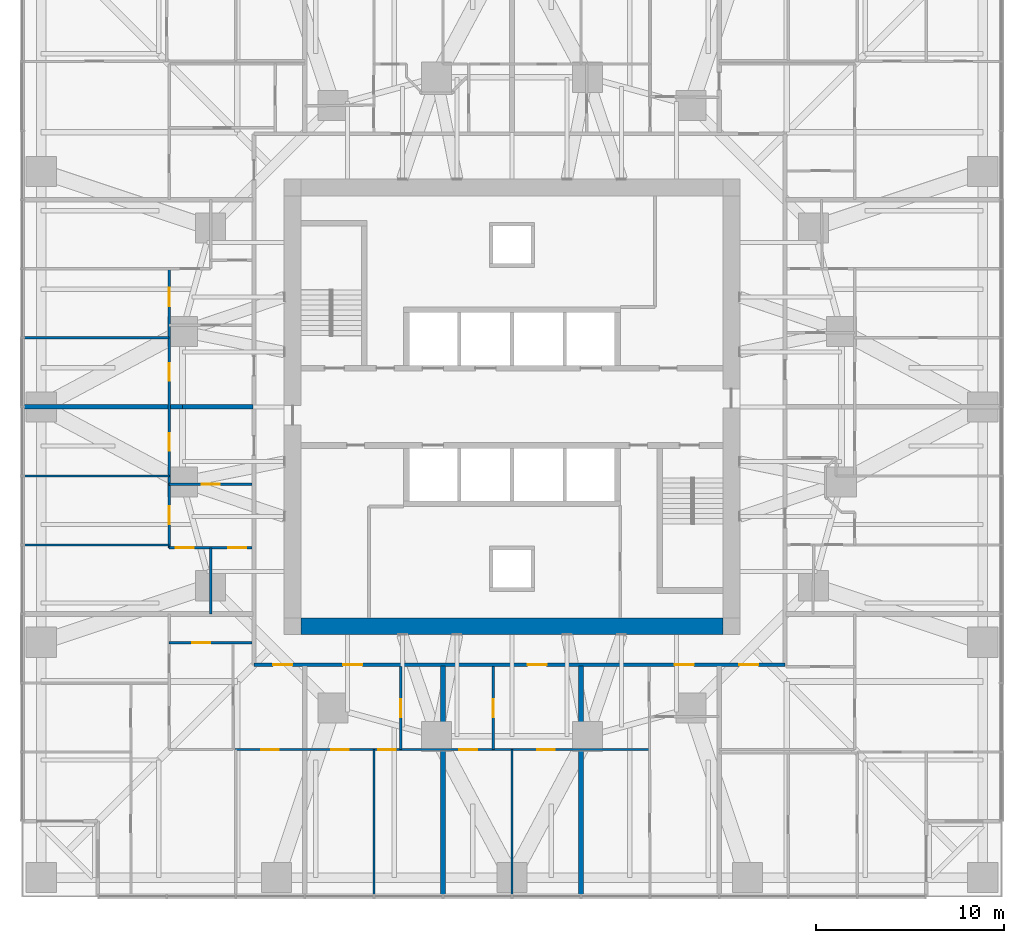
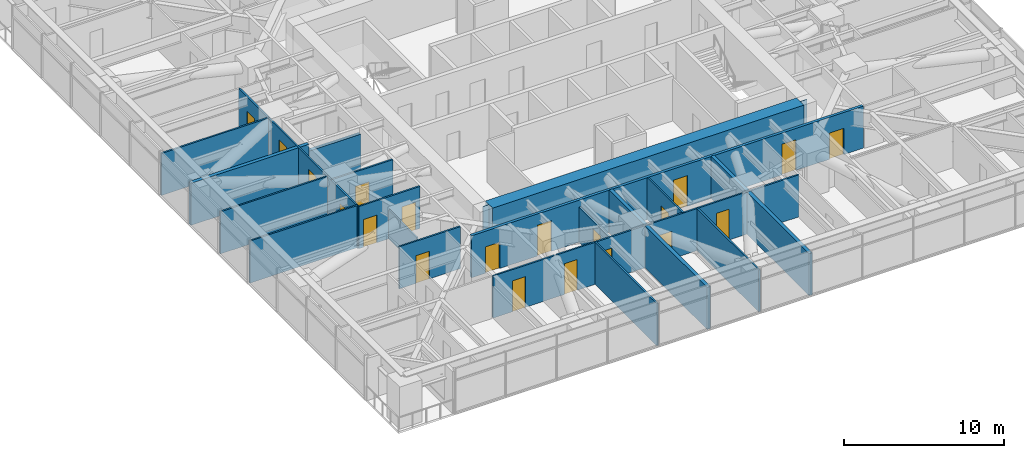
# One storey, part 10 of 17: 20 doors, 19 walls, 20 openings.
"""IFC4 building model written with IfcOpenShell, lengths in metres."""

import ifcopenshell
import ifcopenshell.guid

model = None  # the IFC model being written
_history = None  # IfcOwnerHistory: only IFC2X3 demands one
_inside = {}  # id of a spatial element -> (the spatial element, [elements in it])
_under = {}  # id of a project, library or spatial element -> (it, [spatial elements below it])
_declared = {}  # id of a project -> (the project, [libraries it declares])
_typed = {}  # id of a type object -> (the type object, [elements of that type])
_made_of = {}  # id of a material, layer set ... -> (it, [elements and type objects made of it])


def new_model(schema):
    """Start an empty IFC model of exactly this schema.

    Asked for "IFC4X3", IfcOpenShell would pick the latest addendum, in which some entities
    have other attributes; the version numbers below select the first issue.
    IFC2X3 requires an IfcOwnerHistory on every rooted entity: one is made here for all.
    """
    global model, _history
    if schema == "IFC4X3":
        model = ifcopenshell.file(schema_version=(4, 3, 0, 0))
    else:
        model = ifcopenshell.file(schema=schema)
    _inside.clear()
    _under.clear()
    _declared.clear()
    _typed.clear()
    _made_of.clear()
    _history = None
    if model.schema == "IFC2X3":
        org = make("IfcOrganization", Name="unknown")
        user = make(
            "IfcPersonAndOrganization",
            ThePerson=make("IfcPerson", FamilyName="unknown"),
            TheOrganization=org,
        )
        app = make(
            "IfcApplication",
            ApplicationDeveloper=org,
            Version="unknown",
            ApplicationFullName="unknown",
            ApplicationIdentifier="unknown",
        )
        _history = make(
            "IfcOwnerHistory",
            OwningUser=user,
            OwningApplication=app,
            ChangeAction="ADDED",
            CreationDate=0,
        )
    return model


def make(cls, **values):
    """One entity of the class cls with the attributes given. An attribute that is None is left unset."""
    return model.create_entity(
        cls, **{name: value for name, value in values.items() if value is not None}
    )


def rooted(cls, **values):
    """An entity with a GlobalId (a new one), such as an element, a storey or a relation."""
    return make(cls, GlobalId=ifcopenshell.guid.new(), OwnerHistory=_history, **values)


def si_unit(unit_type, name, prefix=None):
    """IfcSIUnit, for example si_unit("LENGTHUNIT", "METRE", prefix="MILLI")."""
    return make("IfcSIUnit", UnitType=unit_type, Prefix=prefix, Name=name)


def assignment(units):
    """IfcUnitAssignment: the units of a project."""
    return None if units is None else make("IfcUnitAssignment", Units=units)


def point(xyz):
    """IfcCartesianPoint."""
    return None if xyz is None else make("IfcCartesianPoint", Coordinates=xyz)


def direction(xyz):
    """IfcDirection."""
    return None if xyz is None else make("IfcDirection", DirectionRatios=xyz)


def frame(location, z_axis=None, x_axis=None):
    """IfcAxis2Placement3D, a coordinate frame: its origin and axes. An axis left out is left unset."""
    return make(
        "IfcAxis2Placement3D",
        Location=point(location),
        Axis=direction(z_axis),
        RefDirection=direction(x_axis),
    )


def frame_2d(location, x_axis=None):
    """IfcAxis2Placement2D, a coordinate frame in the plane: its origin and x axis."""
    return make(
        "IfcAxis2Placement2D", Location=point(location), RefDirection=direction(x_axis)
    )


def origin():
    """The frame at (0, 0, 0) with its axes left unset."""
    return frame((0.0, 0.0, 0.0))


def place(relative_to, where):
    """IfcLocalPlacement: puts the frame where relative to a parent placement (None: the world)."""
    return make(
        "IfcLocalPlacement", PlacementRelTo=relative_to, RelativePlacement=where
    )


def context(
    kind, dimensions, precision=None, world=None, true_north=None, identifier=None
):
    """IfcGeometricRepresentationContext, for example the 3D "Model" context."""
    return make(
        "IfcGeometricRepresentationContext",
        ContextIdentifier=identifier,
        ContextType=kind,
        CoordinateSpaceDimension=dimensions,
        Precision=precision,
        WorldCoordinateSystem=world,
        TrueNorth=true_north,
    )


def subcontext(parent, identifier, kind, view, scale=None):
    """IfcGeometricRepresentationSubContext, for example "Body" below "Model"."""
    return make(
        "IfcGeometricRepresentationSubContext",
        ContextIdentifier=identifier,
        ContextType=kind,
        ParentContext=parent,
        TargetScale=scale,
        TargetView=view,
    )


def project(units=None, contexts=None):
    """IfcProject with its units and contexts."""
    return rooted(
        "IfcProject",
        Name="project",
        RepresentationContexts=contexts,
        UnitsInContext=assignment(units),
    )


def spatial(cls, under=None, at=None, **own):
    """A site, building, storey or space (cls), placed at a placement, below another one or the project."""
    s = rooted(cls, ObjectPlacement=at, **own)
    if under is not None:
        _under.setdefault(under.id(), (under, []))[1].append(s)
    return s


def polyline(points):
    """IfcPolyline through the points."""
    return make("IfcPolyline", Points=[point(p) for p in points])


def profile(cls, at=None, kind="AREA", **sizes):
    """A parametric profile (cls). Its sizes go by their IFC names, for example OverallWidth=200.0."""
    return make(cls, ProfileType=kind, Position=at, **sizes)


def rectangle(**sizes):
    """IfcRectangleProfileDef."""
    return profile("IfcRectangleProfileDef", **sizes)


def outline(outer, holes=None, kind="AREA"):
    """IfcArbitraryClosedProfileDef: a profile drawn as a closed curve; with holes, ...WithVoids."""
    if holes is None:
        return make("IfcArbitraryClosedProfileDef", ProfileType=kind, OuterCurve=outer)
    return make(
        "IfcArbitraryProfileDefWithVoids",
        ProfileType=kind,
        OuterCurve=outer,
        InnerCurves=holes,
    )


def extrude(swept, where, along, depth):
    """IfcExtrudedAreaSolid: the profile swept, set in the frame where, extruded along a direction by depth."""
    return make(
        "IfcExtrudedAreaSolid",
        SweptArea=swept,
        Position=where,
        ExtrudedDirection=direction(along),
        Depth=depth,
    )


def shape(context_of_items, identifier, shape_type, items):
    """IfcShapeRepresentation: the items that make up one representation, for example the "Body"."""
    return make(
        "IfcShapeRepresentation",
        ContextOfItems=context_of_items,
        RepresentationIdentifier=identifier,
        RepresentationType=shape_type,
        Items=items,
    )


def material(Name=None, Category=None):
    """IfcMaterial."""
    return make("IfcMaterial", Name=Name, Category=Category)


def layer(
    of_material, thickness, ventilated=None, Name=None, Category=None, Priority=None
):
    """IfcMaterialLayer: one layer of a wall or slab, of a material (None: an air gap)."""
    return make(
        "IfcMaterialLayer",
        Material=of_material,
        LayerThickness=thickness,
        IsVentilated=ventilated,
        Name=Name,
        Category=Category,
        Priority=Priority,
    )


def layer_set(layers, Name=None):
    """IfcMaterialLayerSet."""
    return make("IfcMaterialLayerSet", MaterialLayers=layers, LayerSetName=Name)


def made_of(thing, what):
    """Note that an element or type object is made of a material, layer set ...; save() writes the relation."""
    if what is not None:
        _made_of.setdefault(what.id(), (what, []))[1].append(thing)
    return thing


def type_object(cls, material=None, **own):
    """A type object (cls), such as IfcWallType, which elements share."""
    return made_of(rooted(cls, **own), material)


def element(
    cls,
    number,
    at=None,
    inside=None,
    cuts=None,
    type_object=None,
    material=None,
    context=None,
    identifier="Body",
    shape_type=None,
    held_by="IfcProductDefinitionShape",
    body=None,
    shapes=None,
    **own,
):
    """One element of the class cls, such as IfcWall. Its Tag is "e" and its number.

    at: its placement. inside: the storey or other place that contains it. cuts: it is an
    opening in that element (IfcRelVoidsElement). A single representation is given by context,
    identifier, shape_type and body (its items); several are given by shapes. held_by: the class
    of the entity that holds the representations. save() writes the other relations.
    """
    e = rooted(cls, Tag="e%d" % number, ObjectPlacement=at, **own)
    if body is not None:
        shapes = [shape(context, identifier, shape_type, body)]
    if shapes is not None:
        e.Representation = make(held_by, Representations=shapes)
    if inside is not None:
        _inside.setdefault(inside.id(), (inside, []))[1].append(e)
    if cuts is not None:
        rooted(
            "IfcRelVoidsElement", RelatingBuildingElement=cuts, RelatedOpeningElement=e
        )
    if type_object is not None:
        _typed.setdefault(type_object.id(), (type_object, []))[1].append(e)
    return made_of(e, material)


def fill(opening, filler):
    """IfcRelFillsElement: the door or window that sits in an opening."""
    return rooted(
        "IfcRelFillsElement",
        RelatingOpeningElement=opening,
        RelatedBuildingElement=filler,
    )


def aggregate(whole, parts):
    """IfcRelAggregates: a whole, such as a stair, and the parts it consists of."""
    return rooted("IfcRelAggregates", RelatingObject=whole, RelatedObjects=parts)


def save(model, path):
    """Write the relations noted so far, then the file.

    IfcRelAggregates (storeys below a building ...), IfcRelContainedInSpatialStructure (elements
    in a storey), IfcRelDefinesByType, IfcRelAssociatesMaterial and IfcRelDeclares: one each for
    every whole, place, type object, material and project.
    """
    for whole, parts in _under.values():
        aggregate(whole, parts)
    for where, things in _inside.values():
        rooted(
            "IfcRelContainedInSpatialStructure",
            RelatedElements=things,
            RelatingStructure=where,
        )
    for kind, things in _typed.values():
        rooted("IfcRelDefinesByType", RelatedObjects=things, RelatingType=kind)
    for what, things in _made_of.values():
        rooted("IfcRelAssociatesMaterial", RelatedObjects=things, RelatingMaterial=what)
    for by, libraries in _declared.values():
        rooted("IfcRelDeclares", RelatingContext=by, RelatedDefinitions=libraries)
    model.write(path)


model = new_model("IFC4")

# Units and contexts
model_context = context("Model", 3, precision=1e-05, world=origin(), true_north=direction((0.0, 1.0)))
body_context = subcontext(model_context, "Body", "Model", "MODEL_VIEW")
ifc_project = project(units=[si_unit("LENGTHUNIT", "METRE"), si_unit("AREAUNIT", "SQUARE_METRE"), si_unit("VOLUMEUNIT", "CUBIC_METRE"), si_unit("PLANEANGLEUNIT", "RADIAN"), si_unit("MASSUNIT", "GRAM", prefix="KILO")], contexts=[model_context])

# Site, building, storey
site_placement = place(None, origin())
site = spatial("IfcSite", under=ifc_project, at=site_placement, CompositionType="ELEMENT")
building_placement = place(site_placement, origin())
building = spatial("IfcBuilding", under=site, at=building_placement, Name="Torsade Residences", CompositionType="ELEMENT")
storey_placement = place(building_placement, frame((0.0, 0.0, 38.800048828125)))
storey = spatial("IfcBuildingStorey", under=building, at=storey_placement, Name="L10", CompositionType="ELEMENT", Elevation=38.800048828125)

# Wall
ifc_material_1 = material(Name="Concrete 80 MPa", Category="concrete")
ifc_layer_1 = layer(ifc_material_1, 0.89990234375)
ifc_layer_set_1 = layer_set([ifc_layer_1], Name="Concrete 80 MPa")
wall_type_1 = type_object("IfcWallType", Name="CORE WALL 900", PredefinedType="SHEAR", material=ifc_layer_set_1)
wall_1_placement = place(storey_placement, frame((51.199951171875, 18.35009765625, 0.0), z_axis=(0.0, 0.0, 1.0), x_axis=(-1.0, 0.0, 0.0)))
element("IfcWall", 1, at=wall_1_placement, inside=storey, type_object=wall_type_1, Name="Core wall S L10", PredefinedType="SHEAR", context=body_context, shape_type="SweptSolid", body=[
    extrude(outline(polyline([(0.0, -0.449951171875), (22.39990234375, -0.449951171875), (22.39990234375, -0.02490234375), (22.849853515625, -0.02490234375), (22.849853515625, 0.02490234375), (22.39990234375, 0.02490234375), (22.39990234375, 0.449951171875), (0.0, 0.449951171875), (0.0, 0.02490234375), (-0.449951171875, 0.02490234375), (-0.449951171875, -0.02490234375), (0.0, -0.02490234375), (0.0, -0.449951171875)])), origin(), (0.0, 0.0, 1.0), 3.39990234375),
])

# Wall, openings, doors
ifc_material_2 = material(Name="Plasterboard on steel stud", Category="steel")
ifc_layer_2 = layer(ifc_material_2, 0.199951171875)
ifc_layer_set_2 = layer_set([ifc_layer_2], Name="Plasterboard on steel stud")
wall_type_2 = type_object("IfcWallType", Name="CORRIDOR WALL 200", PredefinedType="PARTITIONING", material=ifc_layer_set_2)
wall_2_placement = place(storey_placement, frame((26.300048828125, 16.300048828125, 0.0), z_axis=(0.0, 0.0, 1.0), x_axis=(1.0, 0.0, 0.0)))
wall_2 = element("IfcWall", 2, at=wall_2_placement, inside=storey, type_object=wall_type_2, Name="Corridor wall L10", PredefinedType="PARTITIONING", context=body_context, shape_type="SweptSolid", body=[
    extrude(rectangle(XDim=28.199951171875, YDim=0.199951171875, at=frame_2d((14.10009765625, 0.0))), origin(), (0.0, 0.0, 1.0), 3.199951171875),
])
opening_1_placement = place(wall_2_placement, frame((4.73779296875, 0.0, 0.0)))
opening_1 = element("IfcOpeningElement", 3, at=opening_1_placement, cuts=wall_2, Name="Opening D01", PredefinedType="OPENING", context=body_context, shape_type="SweptSolid", body=[
    extrude(rectangle(XDim=1.02001953125, YDim=2.340087890625, at=frame_2d((0.510009765625, 1.169921875))), frame((0.0, 0.10986328125, 0.0), z_axis=(0.0, -1.0, 0.0), x_axis=(1.0, 0.0, 0.0)), (0.0, 0.0, 1.0), 0.219970703125),
])
opening_2_placement = place(wall_2_placement, frame((14.524658203125, 0.0, 0.0)))
opening_2 = element("IfcOpeningElement", 4, at=opening_2_placement, cuts=wall_2, Name="Opening D01", PredefinedType="OPENING", context=body_context, shape_type="SweptSolid", body=[
    extrude(rectangle(XDim=1.02001953125, YDim=2.340087890625, at=frame_2d((0.510009765625, 1.169921875))), frame((0.0, 0.10986328125, 0.0), z_axis=(0.0, -1.0, 0.0), x_axis=(1.0, 0.0, 0.0)), (0.0, 0.0, 1.0), 0.219970703125),
])
opening_3_placement = place(wall_2_placement, frame((22.333251953125, 0.0, 0.0)))
opening_3 = element("IfcOpeningElement", 5, at=opening_3_placement, cuts=wall_2, Name="Opening D01", PredefinedType="OPENING", context=body_context, shape_type="SweptSolid", body=[
    extrude(rectangle(XDim=1.02001953125, YDim=2.340087890625, at=frame_2d((0.510009765625, 1.169921875))), frame((0.0, 0.10986328125, 0.0), z_axis=(0.0, -1.0, 0.0), x_axis=(1.0, 0.0, 0.0)), (0.0, 0.0, 1.0), 0.219970703125),
])
opening_4_placement = place(wall_2_placement, frame((25.764892578125, 0.0, 0.0)))
opening_4 = element("IfcOpeningElement", 6, at=opening_4_placement, cuts=wall_2, Name="Opening D01N", PredefinedType="OPENING", context=body_context, shape_type="SweptSolid", body=[
    extrude(rectangle(XDim=1.02001953125, YDim=2.0, at=frame_2d((0.510009765625, 1.0))), frame((0.0, 0.10986328125, 0.0), z_axis=(0.0, -1.0, 0.0), x_axis=(1.0, 0.0, 0.0)), (0.0, 0.0, 1.0), 0.219970703125),
])
opening_5_placement = place(wall_2_placement, frame((1.014892578125, 0.0, 0.0)))
opening_5 = element("IfcOpeningElement", 7, at=opening_5_placement, cuts=wall_2, Name="Opening D01N", PredefinedType="OPENING", context=body_context, shape_type="SweptSolid", body=[
    extrude(rectangle(XDim=1.02001953125, YDim=2.0, at=frame_2d((0.510009765625, 1.0))), frame((0.0, 0.10986328125, 0.0), z_axis=(0.0, -1.0, 0.0), x_axis=(1.0, 0.0, 0.0)), (0.0, 0.0, 1.0), 0.219970703125),
])
ifc_material_3 = material(Name="Solid-core timber fire door", Category="wood")
door_type_1 = type_object("IfcDoorType", Name="APARTMENT ENTRY DOOR 1020x2000", OperationType="NOTDEFINED", PredefinedType="DOOR", material=ifc_material_3)
door_1_placement = place(opening_4_placement, origin())
door_1 = element("IfcDoor", 8, at=door_1_placement, inside=storey, type_object=door_type_1, Name="Door Residential corridor to Kitchen and dining", OperationType="SINGLE_SWING_RIGHT", OverallHeight=2.0, OverallWidth=1.02001953125, PredefinedType="DOOR", context=body_context, shape_type="SweptSolid", body=[
    extrude(rectangle(XDim=1.02001953125, YDim=2.0, at=frame_2d((0.510009765625, 1.0))), frame((0.0, 0.02490234375, 0.0), z_axis=(0.0, -1.0, 0.0), x_axis=(1.0, 0.0, 0.0)), (0.0, 0.0, 1.0), 0.050048828125),
])
fill(opening_4, door_1)
door_2_placement = place(opening_5_placement, origin())
door_2 = element("IfcDoor", 9, at=door_2_placement, inside=storey, type_object=door_type_1, Name="Door Residential corridor to Kitchen and dining", OperationType="SINGLE_SWING_LEFT", OverallHeight=2.0, OverallWidth=1.02001953125, PredefinedType="DOOR", context=body_context, shape_type="SweptSolid", body=[
    extrude(rectangle(XDim=1.02001953125, YDim=2.0, at=frame_2d((0.510009765625, 1.0))), frame((0.0, 0.02490234375, 0.0), z_axis=(0.0, -1.0, 0.0), x_axis=(1.0, 0.0, 0.0)), (0.0, 0.0, 1.0), 0.050048828125),
])
fill(opening_5, door_2)
ifc_material_4 = material(Name="Solid-core timber fire door", Category="wood")
door_type_2 = type_object("IfcDoorType", Name="APARTMENT ENTRY DOOR 1020x2340", OperationType="NOTDEFINED", PredefinedType="DOOR", material=ifc_material_4)
door_3_placement = place(opening_1_placement, origin())
door_3 = element("IfcDoor", 10, at=door_3_placement, inside=storey, type_object=door_type_2, Name="Door Residential corridor to Kitchen and dining", OperationType="SINGLE_SWING_LEFT", OverallHeight=2.340087890625, OverallWidth=1.02001953125, PredefinedType="DOOR", context=body_context, shape_type="SweptSolid", body=[
    extrude(rectangle(XDim=1.02001953125, YDim=2.340087890625, at=frame_2d((0.510009765625, 1.169921875))), frame((0.0, 0.02490234375, 0.0), z_axis=(0.0, -1.0, 0.0), x_axis=(1.0, 0.0, 0.0)), (0.0, 0.0, 1.0), 0.050048828125),
])
fill(opening_1, door_3)
door_4_placement = place(opening_2_placement, origin())
door_4 = element("IfcDoor", 11, at=door_4_placement, inside=storey, type_object=door_type_2, Name="Door Residential corridor to Kitchen and dining", OperationType="SINGLE_SWING_LEFT", OverallHeight=2.340087890625, OverallWidth=1.02001953125, PredefinedType="DOOR", context=body_context, shape_type="SweptSolid", body=[
    extrude(rectangle(XDim=1.02001953125, YDim=2.340087890625, at=frame_2d((0.510009765625, 1.169921875))), frame((0.0, 0.02490234375, 0.0), z_axis=(0.0, -1.0, 0.0), x_axis=(1.0, 0.0, 0.0)), (0.0, 0.0, 1.0), 0.050048828125),
])
fill(opening_2, door_4)
door_5_placement = place(opening_3_placement, origin())
door_5 = element("IfcDoor", 12, at=door_5_placement, inside=storey, type_object=door_type_2, Name="Door Residential corridor to Kitchen and dining", OperationType="SINGLE_SWING_RIGHT", OverallHeight=2.340087890625, OverallWidth=1.02001953125, PredefinedType="DOOR", context=body_context, shape_type="SweptSolid", body=[
    extrude(rectangle(XDim=1.02001953125, YDim=2.340087890625, at=frame_2d((0.510009765625, 1.169921875))), frame((0.0, 0.02490234375, 0.0), z_axis=(0.0, -1.0, 0.0), x_axis=(1.0, 0.0, 0.0)), (0.0, 0.0, 1.0), 0.050048828125),
])
fill(opening_3, door_5)

# Wall, opening, door
ifc_material_5 = material(Name="Plasterboard on steel stud", Category="steel")
ifc_layer_3 = layer(ifc_material_5, 0.1201171875)
ifc_layer_set_3 = layer_set([ifc_layer_3], Name="Plasterboard on steel stud")
wall_type_3 = type_object("IfcWallType", Name="PARTITION 120", PredefinedType="PARTITIONING", material=ifc_layer_set_3)
wall_3_placement = place(storey_placement, frame((26.199951171875, 25.883544921875, 0.0), z_axis=(0.0, 0.0, 1.0), x_axis=(-1.0, 0.0, 0.0)))
wall_3 = element("IfcWall", 13, at=wall_3_placement, inside=storey, type_object=wall_type_3, Name="Partition L10", PredefinedType="PARTITIONING", context=body_context, shape_type="SweptSolid", body=[
    extrude(rectangle(XDim=4.39990234375, YDim=0.1201171875, at=frame_2d((2.199951171875, 0.0))), origin(), (0.0, 0.0, 1.0), 3.199951171875),
])
opening_6_placement = place(wall_3_placement, frame((1.719970703125, 0.0, 0.0)))
opening_6 = element("IfcOpeningElement", 14, at=opening_6_placement, cuts=wall_3, Name="Opening D05", PredefinedType="OPENING", context=body_context, shape_type="SweptSolid", body=[
    extrude(rectangle(XDim=0.9599609375, YDim=2.10009765625, at=frame_2d((0.47998046875, 1.050048828125))), frame((0.0, 0.070068359375, 0.0), z_axis=(0.0, -1.0, 0.0), x_axis=(1.0, 0.0, 0.0)), (0.0, 0.0, 1.0), 0.14013671875),
])
ifc_material_6 = material(Name="Hollow-core timber door in a steel cavity frame", Category="steel")
door_type_3 = type_object("IfcDoorType", Name="BATHROOM CAVITY SLIDING DOOR 960", OperationType="SLIDING_TO_LEFT", PredefinedType="DOOR", material=ifc_material_6)
door_6_placement = place(opening_6_placement, origin())
door_6 = element("IfcDoor", 15, at=door_6_placement, inside=storey, type_object=door_type_3, Name="Door Kitchen and dining to Ensuite", OperationType="SLIDING_TO_LEFT", OverallHeight=2.10009765625, OverallWidth=0.9599609375, PredefinedType="DOOR", context=body_context, shape_type="SweptSolid", body=[
    extrude(rectangle(XDim=0.9599609375, YDim=2.10009765625, at=frame_2d((0.47998046875, 1.050048828125))), frame((0.0, 0.02490234375, 0.0), z_axis=(0.0, -1.0, 0.0), x_axis=(1.0, 0.0, 0.0)), (0.0, 0.0, 1.0), 0.050048828125),
])
fill(opening_6, door_6)

# Wall, openings, doors
wall_4_placement = place(storey_placement, frame((21.800048828125, 22.515380859375, 0.0), z_axis=(0.0, 0.0, 1.0), x_axis=(0.0, 1.0, 0.0)))
wall_4 = element("IfcWall", 16, at=wall_4_placement, inside=storey, type_object=wall_type_3, Name="Partition L10", PredefinedType="PARTITIONING", context=body_context, shape_type="SweptSolid", body=[
    extrude(rectangle(XDim=14.81787109375, YDim=0.1201171875, at=frame_2d((7.408935546875, 0.0))), origin(), (0.0, 0.0, 1.0), 3.199951171875),
])
opening_7_placement = place(wall_4_placement, frame((8.883056640625, 0.0, 0.0)))
opening_7 = element("IfcOpeningElement", 17, at=opening_7_placement, cuts=wall_4, Name="Opening D02", PredefinedType="OPENING", context=body_context, shape_type="SweptSolid", body=[
    extrude(rectangle(XDim=0.919921875, YDim=2.340087890625, at=frame_2d((0.4599609375, 1.169921875))), frame((0.0, 0.070068359375, 0.0), z_axis=(0.0, -1.0, 0.0), x_axis=(1.0, 0.0, 0.0)), (0.0, 0.0, 1.0), 0.14013671875),
])
opening_8_placement = place(wall_4_placement, frame((5.166259765625, 0.0, 0.0)))
opening_8 = element("IfcOpeningElement", 18, at=opening_8_placement, cuts=wall_4, Name="Opening D02", PredefinedType="OPENING", context=body_context, shape_type="SweptSolid", body=[
    extrude(rectangle(XDim=0.919921875, YDim=2.340087890625, at=frame_2d((0.4599609375, 1.169921875))), frame((0.0, 0.070068359375, 0.0), z_axis=(0.0, -1.0, 0.0), x_axis=(1.0, 0.0, 0.0)), (0.0, 0.0, 1.0), 0.14013671875),
])
opening_9_placement = place(wall_4_placement, frame((12.83544921875, 0.0, 0.0)))
opening_9 = element("IfcOpeningElement", 19, at=opening_9_placement, cuts=wall_4, Name="Opening D05", PredefinedType="OPENING", context=body_context, shape_type="SweptSolid", body=[
    extrude(rectangle(XDim=0.9599609375, YDim=2.10009765625, at=frame_2d((0.47998046875, 1.050048828125))), frame((0.0, 0.070068359375, 0.0), z_axis=(0.0, -1.0, 0.0), x_axis=(1.0, 0.0, 0.0)), (0.0, 0.0, 1.0), 0.14013671875),
])
opening_10_placement = place(wall_4_placement, frame((1.254638671875, 0.0, 0.0)))
opening_10 = element("IfcOpeningElement", 20, at=opening_10_placement, cuts=wall_4, Name="Opening D05", PredefinedType="OPENING", context=body_context, shape_type="SweptSolid", body=[
    extrude(rectangle(XDim=0.9599609375, YDim=2.10009765625, at=frame_2d((0.47998046875, 1.050048828125))), frame((0.0, 0.070068359375, 0.0), z_axis=(0.0, -1.0, 0.0), x_axis=(1.0, 0.0, 0.0)), (0.0, 0.0, 1.0), 0.14013671875),
])
door_7_placement = place(opening_9_placement, origin())
door_7 = element("IfcDoor", 21, at=door_7_placement, inside=storey, type_object=door_type_3, Name="Door Bathroom to Bedroom 2", OperationType="SLIDING_TO_LEFT", OverallHeight=2.10009765625, OverallWidth=0.9599609375, PredefinedType="DOOR", context=body_context, shape_type="SweptSolid", body=[
    extrude(rectangle(XDim=0.9599609375, YDim=2.10009765625, at=frame_2d((0.47998046875, 1.050048828125))), frame((0.0, 0.02490234375, 0.0), z_axis=(0.0, -1.0, 0.0), x_axis=(1.0, 0.0, 0.0)), (0.0, 0.0, 1.0), 0.050048828125),
])
fill(opening_9, door_7)
door_8_placement = place(opening_10_placement, origin())
door_8 = element("IfcDoor", 22, at=door_8_placement, inside=storey, type_object=door_type_3, Name="Door Ensuite to Bedroom 2", OperationType="SLIDING_TO_LEFT", OverallHeight=2.10009765625, OverallWidth=0.9599609375, PredefinedType="DOOR", context=body_context, shape_type="SweptSolid", body=[
    extrude(rectangle(XDim=0.9599609375, YDim=2.10009765625, at=frame_2d((0.47998046875, 1.050048828125))), frame((0.0, 0.02490234375, 0.0), z_axis=(0.0, -1.0, 0.0), x_axis=(1.0, 0.0, 0.0)), (0.0, 0.0, 1.0), 0.050048828125),
])
fill(opening_10, door_8)
ifc_material_7 = material(Name="Hollow-core timber door", Category="wood")
door_type_4 = type_object("IfcDoorType", Name="INTERNAL DOOR 920x2340", OperationType="NOTDEFINED", PredefinedType="DOOR", material=ifc_material_7)
door_9_placement = place(opening_7_placement, origin())
door_9 = element("IfcDoor", 23, at=door_9_placement, inside=storey, type_object=door_type_4, Name="Door Kitchen and dining to Bedroom 1", OperationType="SINGLE_SWING_RIGHT", OverallHeight=2.340087890625, OverallWidth=0.919921875, PredefinedType="DOOR", context=body_context, shape_type="SweptSolid", body=[
    extrude(rectangle(XDim=0.919921875, YDim=2.340087890625, at=frame_2d((0.4599609375, 1.169921875))), frame((0.0, 0.02490234375, 0.0), z_axis=(0.0, -1.0, 0.0), x_axis=(1.0, 0.0, 0.0)), (0.0, 0.0, 1.0), 0.050048828125),
])
fill(opening_7, door_9)
door_10_placement = place(opening_8_placement, origin())
door_10 = element("IfcDoor", 24, at=door_10_placement, inside=storey, type_object=door_type_4, Name="Door Kitchen and dining to Living room", OperationType="SINGLE_SWING_RIGHT", OverallHeight=2.340087890625, OverallWidth=0.919921875, PredefinedType="DOOR", context=body_context, shape_type="SweptSolid", body=[
    extrude(rectangle(XDim=0.919921875, YDim=2.340087890625, at=frame_2d((0.4599609375, 1.169921875))), frame((0.0, 0.02490234375, 0.0), z_axis=(0.0, -1.0, 0.0), x_axis=(1.0, 0.0, 0.0)), (0.0, 0.0, 1.0), 0.050048828125),
])
fill(opening_8, door_10)

wall_5_placement = place(storey_placement, frame((21.800048828125, 22.515380859375, 0.0), z_axis=(0.0, 0.0, 1.0), x_axis=(1.0, 0.0, 0.0)))
wall_5 = element("IfcWall", 25, at=wall_5_placement, inside=storey, type_object=wall_type_3, Name="Partition L10", PredefinedType="PARTITIONING", context=body_context, shape_type="SweptSolid", body=[
    extrude(rectangle(XDim=4.39990234375, YDim=0.1201171875, at=frame_2d((2.199951171875, 0.0))), origin(), (0.0, 0.0, 1.0), 3.199951171875),
])
opening_11_placement = place(wall_5_placement, frame((0.344970703125, 0.0, 0.0)))
opening_11 = element("IfcOpeningElement", 26, at=opening_11_placement, cuts=wall_5, Name="Opening D05", PredefinedType="OPENING", context=body_context, shape_type="SweptSolid", body=[
    extrude(rectangle(XDim=0.9599609375, YDim=2.10009765625, at=frame_2d((0.47998046875, 1.050048828125))), frame((0.0, 0.070068359375, 0.0), z_axis=(0.0, -1.0, 0.0), x_axis=(1.0, 0.0, 0.0)), (0.0, 0.0, 1.0), 0.14013671875),
])
opening_12_placement = place(wall_5_placement, frame((3.1201171875, 0.0, 0.0)))
opening_12 = element("IfcOpeningElement", 27, at=opening_12_placement, cuts=wall_5, Name="Opening D05", PredefinedType="OPENING", context=body_context, shape_type="SweptSolid", body=[
    extrude(rectangle(XDim=0.9599609375, YDim=2.10009765625, at=frame_2d((0.47998046875, 1.050048828125))), frame((0.0, 0.070068359375, 0.0), z_axis=(0.0, -1.0, 0.0), x_axis=(1.0, 0.0, 0.0)), (0.0, 0.0, 1.0), 0.14013671875),
])
door_11_placement = place(opening_11_placement, origin())
door_11 = element("IfcDoor", 28, at=door_11_placement, inside=storey, type_object=door_type_3, Name="Door Ensuite to Bedroom 1", OperationType="SLIDING_TO_LEFT", OverallHeight=2.10009765625, OverallWidth=0.9599609375, PredefinedType="DOOR", context=body_context, shape_type="SweptSolid", body=[
    extrude(rectangle(XDim=0.9599609375, YDim=2.10009765625, at=frame_2d((0.47998046875, 1.050048828125))), frame((0.0, 0.02490234375, 0.0), z_axis=(0.0, -1.0, 0.0), x_axis=(1.0, 0.0, 0.0)), (0.0, 0.0, 1.0), 0.050048828125),
])
fill(opening_11, door_11)
door_12_placement = place(opening_12_placement, origin())
door_12 = element("IfcDoor", 29, at=door_12_placement, inside=storey, type_object=door_type_3, Name="Door Ensuite to Bathroom", OperationType="SLIDING_TO_LEFT", OverallHeight=2.10009765625, OverallWidth=0.9599609375, PredefinedType="DOOR", context=body_context, shape_type="SweptSolid", body=[
    extrude(rectangle(XDim=0.9599609375, YDim=2.10009765625, at=frame_2d((0.47998046875, 1.050048828125))), frame((0.0, 0.02490234375, 0.0), z_axis=(0.0, -1.0, 0.0), x_axis=(1.0, 0.0, 0.0)), (0.0, 0.0, 1.0), 0.050048828125),
])
fill(opening_12, door_12)

# Walls
wall_6_placement = place(storey_placement, frame((24.0, 19.0, 0.0), z_axis=(0.0, 0.0, 1.0), x_axis=(0.0, 1.0, 0.0)))
element("IfcWall", 30, at=wall_6_placement, inside=storey, type_object=wall_type_3, Name="Partition L10", PredefinedType="PARTITIONING", context=body_context, shape_type="SweptSolid", body=[
    extrude(rectangle(XDim=3.515380859375, YDim=0.1201171875, at=frame_2d((1.7578125, 0.0))), origin(), (0.0, 0.0, 1.0), 2.199951171875),
])
for number, where, z_axis, x_axis, name in (
    (31, (21.800048828125, 26.333251953125, 0.0), (0.0, 0.0, 1.0), (-1.0, 0.0, 0.0), "Partition L10"),
    (32, (14.0400390625, 22.666748046875, 0.0), (0.0, 0.0, 1.0), (1.0, 0.0, 0.0), "Partition L10"),
):
    element("IfcWall", number, at=place(storey_placement, frame(where, z_axis=z_axis, x_axis=x_axis)), inside=storey, type_object=wall_type_3, Name=name, PredefinedType="PARTITIONING", context=body_context, shape_type="SweptSolid", body=[
        extrude(rectangle(XDim=7.760009765625, YDim=0.1201171875, at=frame_2d((3.8798828125, 0.0))), origin(), (0.0, 0.0, 1.0), 3.199951171875),
    ])

# Wall, opening, door
wall_7_placement = place(storey_placement, frame((21.800048828125, 17.473876953125, 0.0), z_axis=(0.0, 0.0, 1.0), x_axis=(1.0, 0.0, 0.0)))
wall_7 = element("IfcWall", 33, at=wall_7_placement, inside=storey, type_object=wall_type_3, Name="Partition L10", PredefinedType="PARTITIONING", context=body_context, shape_type="SweptSolid", body=[
    extrude(rectangle(XDim=4.39990234375, YDim=0.1201171875, at=frame_2d((2.199951171875, 0.0))), origin(), (0.0, 0.0, 1.0), 3.199951171875),
])
opening_13_placement = place(wall_7_placement, frame((1.21484375, 0.0, 0.0)))
opening_13 = element("IfcOpeningElement", 34, at=opening_13_placement, cuts=wall_7, Name="Opening D05", PredefinedType="OPENING", context=body_context, shape_type="SweptSolid", body=[
    extrude(rectangle(XDim=0.9599609375, YDim=2.10009765625, at=frame_2d((0.47998046875, 1.050048828125))), frame((0.0, 0.070068359375, 0.0), z_axis=(0.0, -1.0, 0.0), x_axis=(1.0, 0.0, 0.0)), (0.0, 0.0, 1.0), 0.14013671875),
])
door_13_placement = place(opening_13_placement, origin())
door_13 = element("IfcDoor", 35, at=door_13_placement, inside=storey, type_object=door_type_3, Name="Door Scullery to Bathroom", OperationType="SLIDING_TO_LEFT", OverallHeight=2.10009765625, OverallWidth=0.9599609375, PredefinedType="DOOR", context=body_context, shape_type="SweptSolid", body=[
    extrude(rectangle(XDim=0.9599609375, YDim=2.10009765625, at=frame_2d((0.47998046875, 1.050048828125))), frame((0.0, 0.02490234375, 0.0), z_axis=(0.0, -1.0, 0.0), x_axis=(1.0, 0.0, 0.0)), (0.0, 0.0, 1.0), 0.050048828125),
])
fill(opening_13, door_13)

# Wall, openings, doors
wall_8_placement = place(storey_placement, frame((47.28662109375, 11.800048828125, 0.0), z_axis=(0.0, 0.0, 1.0), x_axis=(-1.0, 0.0, 0.0)))
wall_8 = element("IfcWall", 36, at=wall_8_placement, inside=storey, type_object=wall_type_3, Name="Partition L10", PredefinedType="PARTITIONING", context=body_context, shape_type="SweptSolid", body=[
    extrude(rectangle(XDim=22.00341796875, YDim=0.1201171875, at=frame_2d((11.001708984375, 0.0))), origin(), (0.0, 0.0, 1.0), 3.199951171875),
])
opening_14_placement = place(wall_8_placement, frame((15.96826171875, 0.0, 0.0)))
opening_14 = element("IfcOpeningElement", 37, at=opening_14_placement, cuts=wall_8, Name="Opening D02", PredefinedType="OPENING", context=body_context, shape_type="SweptSolid", body=[
    extrude(rectangle(XDim=0.919921875, YDim=2.340087890625, at=frame_2d((0.4599609375, 1.169921875))), frame((0.0, 0.070068359375, 0.0), z_axis=(0.0, -1.0, 0.0), x_axis=(1.0, 0.0, 0.0)), (0.0, 0.0, 1.0), 0.14013671875),
])
opening_15_placement = place(wall_8_placement, frame((13.47021484375, 0.0, 0.0)))
opening_15 = element("IfcOpeningElement", 38, at=opening_15_placement, cuts=wall_8, Name="Opening D02", PredefinedType="OPENING", context=body_context, shape_type="SweptSolid", body=[
    extrude(rectangle(XDim=0.919921875, YDim=2.340087890625, at=frame_2d((0.4599609375, 1.169921875))), frame((0.0, 0.070068359375, 0.0), z_axis=(0.0, -1.0, 0.0), x_axis=(1.0, 0.0, 0.0)), (0.0, 0.0, 1.0), 0.14013671875),
])
opening_16_placement = place(wall_8_placement, frame((5.01806640625, 0.0, 0.0)))
opening_16 = element("IfcOpeningElement", 39, at=opening_16_placement, cuts=wall_8, Name="Opening D02", PredefinedType="OPENING", context=body_context, shape_type="SweptSolid", body=[
    extrude(rectangle(XDim=0.919921875, YDim=2.340087890625, at=frame_2d((0.4599609375, 1.169921875))), frame((0.0, 0.070068359375, 0.0), z_axis=(0.0, -1.0, 0.0), x_axis=(1.0, 0.0, 0.0)), (0.0, 0.0, 1.0), 0.14013671875),
])
opening_17_placement = place(wall_8_placement, frame((19.684814453125, 0.0, 0.0)))
opening_17 = element("IfcOpeningElement", 40, at=opening_17_placement, cuts=wall_8, Name="Opening D02", PredefinedType="OPENING", context=body_context, shape_type="SweptSolid", body=[
    extrude(rectangle(XDim=0.919921875, YDim=2.340087890625, at=frame_2d((0.4599609375, 1.169921875))), frame((0.0, 0.070068359375, 0.0), z_axis=(0.0, -1.0, 0.0), x_axis=(1.0, 0.0, 0.0)), (0.0, 0.0, 1.0), 0.14013671875),
])
opening_18_placement = place(wall_8_placement, frame((9.138427734375, 0.0, 0.0)))
opening_18 = element("IfcOpeningElement", 41, at=opening_18_placement, cuts=wall_8, Name="Opening D05", PredefinedType="OPENING", context=body_context, shape_type="SweptSolid", body=[
    extrude(rectangle(XDim=0.9599609375, YDim=2.10009765625, at=frame_2d((0.47998046875, 1.050048828125))), frame((0.0, 0.070068359375, 0.0), z_axis=(0.0, -1.0, 0.0), x_axis=(1.0, 0.0, 0.0)), (0.0, 0.0, 1.0), 0.14013671875),
])
door_14_placement = place(opening_18_placement, origin())
door_14 = element("IfcDoor", 42, at=door_14_placement, inside=storey, type_object=door_type_3, Name="Door Bathroom to Living room", OperationType="SLIDING_TO_LEFT", OverallHeight=2.10009765625, OverallWidth=0.9599609375, PredefinedType="DOOR", context=body_context, shape_type="SweptSolid", body=[
    extrude(rectangle(XDim=0.9599609375, YDim=2.10009765625, at=frame_2d((0.47998046875, 1.050048828125))), frame((0.0, 0.02490234375, 0.0), z_axis=(0.0, -1.0, 0.0), x_axis=(1.0, 0.0, 0.0)), (0.0, 0.0, 1.0), 0.050048828125),
])
fill(opening_18, door_14)
door_15_placement = place(opening_14_placement, origin())
door_15 = element("IfcDoor", 43, at=door_15_placement, inside=storey, type_object=door_type_4, Name="Door Kitchen and dining to Living room", OperationType="SINGLE_SWING_LEFT", OverallHeight=2.340087890625, OverallWidth=0.919921875, PredefinedType="DOOR", context=body_context, shape_type="SweptSolid", body=[
    extrude(rectangle(XDim=0.919921875, YDim=2.340087890625, at=frame_2d((0.4599609375, 1.169921875))), frame((0.0, 0.02490234375, 0.0), z_axis=(0.0, -1.0, 0.0), x_axis=(1.0, 0.0, 0.0)), (0.0, 0.0, 1.0), 0.050048828125),
])
fill(opening_14, door_15)
door_16_placement = place(opening_15_placement, origin())
door_16 = element("IfcDoor", 44, at=door_16_placement, inside=storey, type_object=door_type_4, Name="Door Kitchen and dining to Bedroom 1", OperationType="SINGLE_SWING_RIGHT", OverallHeight=2.340087890625, OverallWidth=0.919921875, PredefinedType="DOOR", context=body_context, shape_type="SweptSolid", body=[
    extrude(rectangle(XDim=0.919921875, YDim=2.340087890625, at=frame_2d((0.4599609375, 1.169921875))), frame((0.0, 0.02490234375, 0.0), z_axis=(0.0, -1.0, 0.0), x_axis=(1.0, 0.0, 0.0)), (0.0, 0.0, 1.0), 0.050048828125),
])
fill(opening_15, door_16)
door_17_placement = place(opening_16_placement, origin())
door_17 = element("IfcDoor", 45, at=door_17_placement, inside=storey, type_object=door_type_4, Name="Door Kitchen and dining to Bedroom 1", OperationType="SINGLE_SWING_RIGHT", OverallHeight=2.340087890625, OverallWidth=0.919921875, PredefinedType="DOOR", context=body_context, shape_type="SweptSolid", body=[
    extrude(rectangle(XDim=0.919921875, YDim=2.340087890625, at=frame_2d((0.4599609375, 1.169921875))), frame((0.0, 0.02490234375, 0.0), z_axis=(0.0, -1.0, 0.0), x_axis=(1.0, 0.0, 0.0)), (0.0, 0.0, 1.0), 0.050048828125),
])
fill(opening_16, door_17)
door_18_placement = place(opening_17_placement, origin())
door_18 = element("IfcDoor", 46, at=door_18_placement, inside=storey, type_object=door_type_4, Name="Door Kitchen and dining to Bedroom 2", OperationType="SINGLE_SWING_LEFT", OverallHeight=2.340087890625, OverallWidth=0.919921875, PredefinedType="DOOR", context=body_context, shape_type="SweptSolid", body=[
    extrude(rectangle(XDim=0.919921875, YDim=2.340087890625, at=frame_2d((0.4599609375, 1.169921875))), frame((0.0, 0.02490234375, 0.0), z_axis=(0.0, -1.0, 0.0), x_axis=(1.0, 0.0, 0.0)), (0.0, 0.0, 1.0), 0.050048828125),
])
fill(opening_17, door_18)

# Wall, opening, door
wall_9_placement = place(storey_placement, frame((34.095703125, 16.199951171875, 0.0), z_axis=(0.0, 0.0, 1.0), x_axis=(0.0, -1.0, 0.0)))
wall_9 = element("IfcWall", 47, at=wall_9_placement, inside=storey, type_object=wall_type_3, Name="Partition L10", PredefinedType="PARTITIONING", context=body_context, shape_type="SweptSolid", body=[
    extrude(rectangle(XDim=4.39990234375, YDim=0.1201171875, at=frame_2d((2.199951171875, 0.0))), origin(), (0.0, 0.0, 1.0), 2.6708984375),
])
opening_19_placement = place(wall_9_placement, frame((1.719970703125, 0.0, 0.0)))
opening_19 = element("IfcOpeningElement", 48, at=opening_19_placement, cuts=wall_9, Name="Opening D05", PredefinedType="OPENING", context=body_context, shape_type="SweptSolid", body=[
    extrude(rectangle(XDim=0.9599609375, YDim=2.10009765625, at=frame_2d((0.47998046875, 1.050048828125))), frame((0.0, 0.070068359375, 0.0), z_axis=(0.0, -1.0, 0.0), x_axis=(1.0, 0.0, 0.0)), (0.0, 0.0, 1.0), 0.14013671875),
])
door_19_placement = place(opening_19_placement, origin())
door_19 = element("IfcDoor", 49, at=door_19_placement, inside=storey, type_object=door_type_3, Name="Door Kitchen and dining to Bathroom", OperationType="SLIDING_TO_LEFT", OverallHeight=2.10009765625, OverallWidth=0.9599609375, PredefinedType="DOOR", context=body_context, shape_type="SweptSolid", body=[
    extrude(rectangle(XDim=0.9599609375, YDim=2.10009765625, at=frame_2d((0.47998046875, 1.050048828125))), frame((0.0, 0.02490234375, 0.0), z_axis=(0.0, -1.0, 0.0), x_axis=(1.0, 0.0, 0.0)), (0.0, 0.0, 1.0), 0.050048828125),
])
fill(opening_19, door_19)

# Wall
wall_10_placement = place(storey_placement, frame((32.666748046875, 11.800048828125, 0.0), z_axis=(0.0, 0.0, 1.0), x_axis=(0.0, -1.0, 0.0)))
element("IfcWall", 50, at=wall_10_placement, inside=storey, type_object=wall_type_3, Name="Partition L10", PredefinedType="PARTITIONING", context=body_context, shape_type="SweptSolid", body=[
    extrude(rectangle(XDim=7.760009765625, YDim=0.1201171875, at=frame_2d((3.8798828125, 0.0))), origin(), (0.0, 0.0, 1.0), 3.199951171875),
])

# Wall, opening, door
wall_11_placement = place(storey_placement, frame((39.002685546875, 11.800048828125, 0.0), z_axis=(0.0, 0.0, 1.0), x_axis=(0.0, 1.0, 0.0)))
wall_11 = element("IfcWall", 51, at=wall_11_placement, inside=storey, type_object=wall_type_3, Name="Partition L10", PredefinedType="PARTITIONING", context=body_context, shape_type="SweptSolid", body=[
    extrude(rectangle(XDim=4.39990234375, YDim=0.1201171875, at=frame_2d((2.199951171875, 0.0))), origin(), (0.0, 0.0, 1.0), 3.199951171875),
])
opening_20_placement = place(wall_11_placement, frame((1.719970703125, 0.0, 0.0)))
opening_20 = element("IfcOpeningElement", 52, at=opening_20_placement, cuts=wall_11, Name="Opening D05", PredefinedType="OPENING", context=body_context, shape_type="SweptSolid", body=[
    extrude(rectangle(XDim=0.9599609375, YDim=2.10009765625, at=frame_2d((0.47998046875, 1.050048828125))), frame((0.0, 0.070068359375, 0.0), z_axis=(0.0, -1.0, 0.0), x_axis=(1.0, 0.0, 0.0)), (0.0, 0.0, 1.0), 0.14013671875),
])
door_20_placement = place(opening_20_placement, origin())
door_20 = element("IfcDoor", 53, at=door_20_placement, inside=storey, type_object=door_type_3, Name="Door Kitchen and dining to Bathroom", OperationType="SLIDING_TO_LEFT", OverallHeight=2.10009765625, OverallWidth=0.9599609375, PredefinedType="DOOR", context=body_context, shape_type="SweptSolid", body=[
    extrude(rectangle(XDim=0.9599609375, YDim=2.10009765625, at=frame_2d((0.47998046875, 1.050048828125))), frame((0.0, 0.02490234375, 0.0), z_axis=(0.0, -1.0, 0.0), x_axis=(1.0, 0.0, 0.0)), (0.0, 0.0, 1.0), 0.050048828125),
])
fill(opening_20, door_20)

# Walls
for number, where, z_axis, x_axis, name in (
    (54, (40.0, 11.800048828125, 0.0), (0.0, 0.0, 1.0), (0.0, -1.0, 0.0), "Partition L10"),
    (55, (14.0400390625, 33.666748046875, 0.0), (0.0, 0.0, 1.0), (1.0, 0.0, 0.0), "Partition L10"),
):
    element("IfcWall", number, at=place(storey_placement, frame(where, z_axis=z_axis, x_axis=x_axis)), inside=storey, type_object=wall_type_3, Name=name, PredefinedType="PARTITIONING", context=body_context, shape_type="SweptSolid", body=[
        extrude(rectangle(XDim=7.760009765625, YDim=0.1201171875, at=frame_2d((3.8798828125, 0.0))), origin(), (0.0, 0.0, 1.0), 3.199951171875),
    ])
ifc_material_8 = material(Name="Masonry-lined stud party wall", Category="masonry")
ifc_layer_4 = layer(ifc_material_8, 0.25)
ifc_layer_set_4 = layer_set([ifc_layer_4], Name="Masonry-lined stud party wall")
wall_type_4 = type_object("IfcWallType", Name="PARTY WALL 250", PredefinedType="PARTITIONING", material=ifc_layer_set_4)
for number, where, z_axis, x_axis, name in (
    (56, (36.333251953125, 4.0, 0.0), (0.0, 0.0, 1.0), (0.0, 1.0, 0.0), "Party wall L10"),
    (57, (43.666748046875, 4.0, 0.0), (0.0, 0.0, 1.0), (0.0, 1.0, 0.0), "Party wall L10"),
):
    element("IfcWall", number, at=place(storey_placement, frame(where, z_axis=z_axis, x_axis=x_axis)), inside=storey, type_object=wall_type_4, Name=name, PredefinedType="PARTITIONING", context=body_context, shape_type="SweptSolid", body=[
        extrude(rectangle(XDim=12.239990234375, YDim=0.25, at=frame_2d((6.1201171875, 0.0))), origin(), (0.0, 0.0, 1.0), 3.199951171875),
    ])
wall_12_placement = place(storey_placement, frame((14.0, 30.0, 0.0), z_axis=(0.0, 0.0, 1.0), x_axis=(1.0, 0.0, 0.0)))
element("IfcWall", 58, at=wall_12_placement, inside=storey, type_object=wall_type_4, Name="Party wall L10", PredefinedType="PARTITIONING", context=body_context, shape_type="SweptSolid", body=[
    extrude(rectangle(XDim=8.5, YDim=0.25, at=frame_2d((4.25, 0.0))), origin(), (0.0, 0.0, 1.0), 3.199951171875),
])
wall_13_placement = place(storey_placement, frame((22.5, 30.0, 0.0), z_axis=(0.0, 0.0, 1.0), x_axis=(1.0, 0.0, 0.0)))
element("IfcWall", 59, at=wall_13_placement, inside=storey, type_object=wall_type_4, Name="Party wall L10", PredefinedType="PARTITIONING", context=body_context, shape_type="SweptSolid", body=[
    extrude(rectangle(XDim=3.739990234375, YDim=0.25, at=frame_2d((1.8701171875, 0.0))), origin(), (0.0, 0.0, 1.0), 2.6708984375),
])

save(model, "model.ifc")
